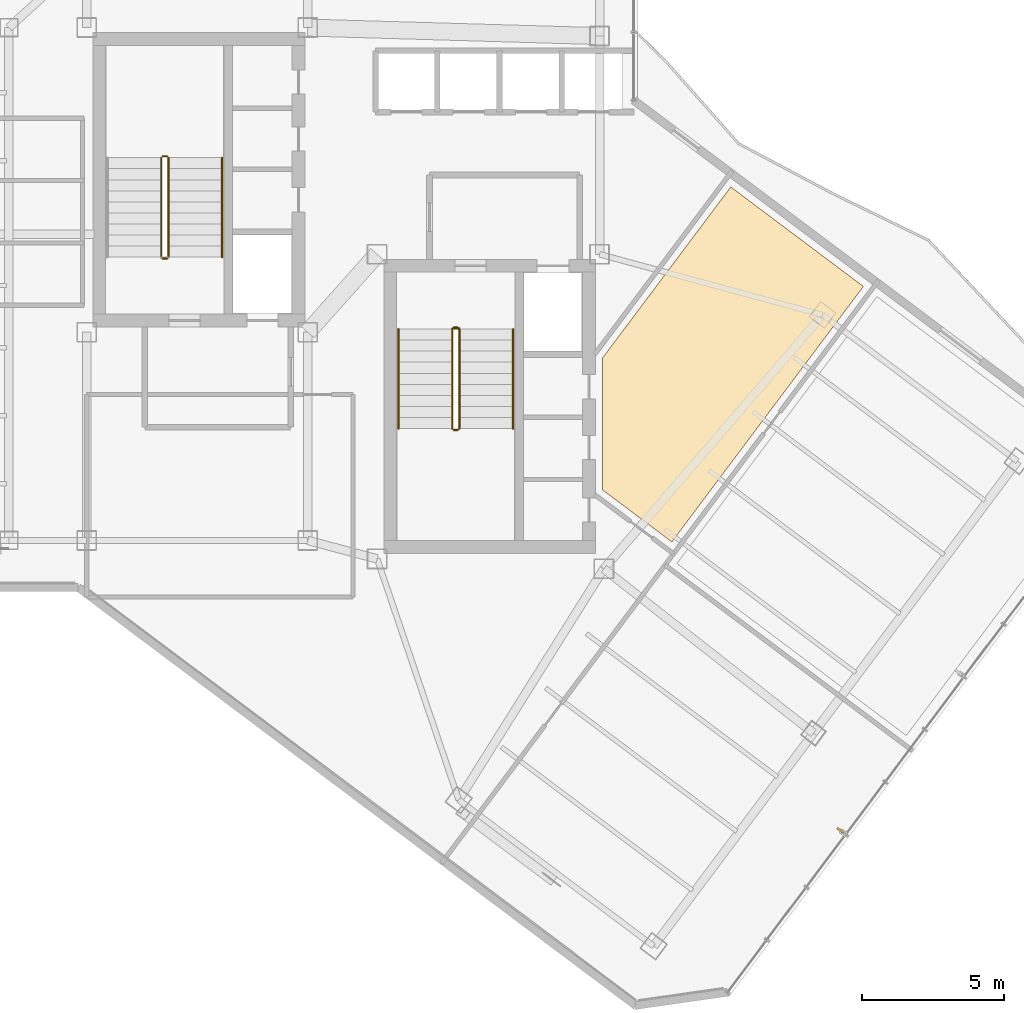
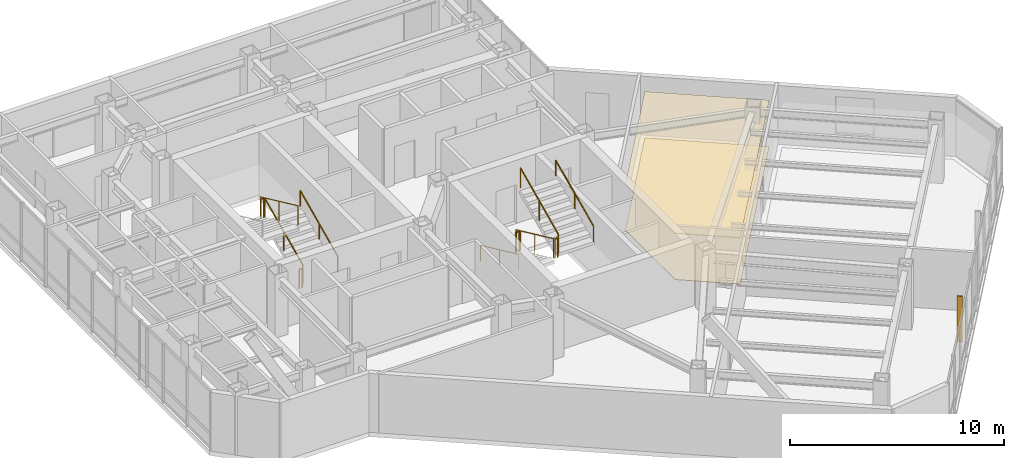
# One storey, part 23 of 25: 12 railings, 2 coverings, 1 shading device.
"""IFC4 building model written with IfcOpenShell, lengths in metres."""

import ifcopenshell
import ifcopenshell.guid

model = None  # the IFC model being written
_history = None  # IfcOwnerHistory: only IFC2X3 demands one
_inside = {}  # id of a spatial element -> (the spatial element, [elements in it])
_under = {}  # id of a project, library or spatial element -> (it, [spatial elements below it])
_declared = {}  # id of a project -> (the project, [libraries it declares])
_typed = {}  # id of a type object -> (the type object, [elements of that type])
_made_of = {}  # id of a material, layer set ... -> (it, [elements and type objects made of it])


def new_model(schema):
    """Start an empty IFC model of exactly this schema.

    Asked for "IFC4X3", IfcOpenShell would pick the latest addendum, in which some entities
    have other attributes; the version numbers below select the first issue.
    IFC2X3 requires an IfcOwnerHistory on every rooted entity: one is made here for all.
    """
    global model, _history
    if schema == "IFC4X3":
        model = ifcopenshell.file(schema_version=(4, 3, 0, 0))
    else:
        model = ifcopenshell.file(schema=schema)
    _inside.clear()
    _under.clear()
    _declared.clear()
    _typed.clear()
    _made_of.clear()
    _history = None
    if model.schema == "IFC2X3":
        org = make("IfcOrganization", Name="unknown")
        user = make(
            "IfcPersonAndOrganization",
            ThePerson=make("IfcPerson", FamilyName="unknown"),
            TheOrganization=org,
        )
        app = make(
            "IfcApplication",
            ApplicationDeveloper=org,
            Version="unknown",
            ApplicationFullName="unknown",
            ApplicationIdentifier="unknown",
        )
        _history = make(
            "IfcOwnerHistory",
            OwningUser=user,
            OwningApplication=app,
            ChangeAction="ADDED",
            CreationDate=0,
        )
    return model


def make(cls, **values):
    """One entity of the class cls with the attributes given. An attribute that is None is left unset."""
    return model.create_entity(
        cls, **{name: value for name, value in values.items() if value is not None}
    )


def rooted(cls, **values):
    """An entity with a GlobalId (a new one), such as an element, a storey or a relation."""
    return make(cls, GlobalId=ifcopenshell.guid.new(), OwnerHistory=_history, **values)


def si_unit(unit_type, name, prefix=None):
    """IfcSIUnit, for example si_unit("LENGTHUNIT", "METRE", prefix="MILLI")."""
    return make("IfcSIUnit", UnitType=unit_type, Prefix=prefix, Name=name)


def assignment(units):
    """IfcUnitAssignment: the units of a project."""
    return None if units is None else make("IfcUnitAssignment", Units=units)


def point(xyz):
    """IfcCartesianPoint."""
    return None if xyz is None else make("IfcCartesianPoint", Coordinates=xyz)


def direction(xyz):
    """IfcDirection."""
    return None if xyz is None else make("IfcDirection", DirectionRatios=xyz)


def frame(location, z_axis=None, x_axis=None):
    """IfcAxis2Placement3D, a coordinate frame: its origin and axes. An axis left out is left unset."""
    return make(
        "IfcAxis2Placement3D",
        Location=point(location),
        Axis=direction(z_axis),
        RefDirection=direction(x_axis),
    )


def frame_2d(location, x_axis=None):
    """IfcAxis2Placement2D, a coordinate frame in the plane: its origin and x axis."""
    return make(
        "IfcAxis2Placement2D", Location=point(location), RefDirection=direction(x_axis)
    )


def origin():
    """The frame at (0, 0, 0) with its axes left unset."""
    return frame((0.0, 0.0, 0.0))


def origin_2d():
    """The frame at (0, 0) in the plane with its x axis left unset."""
    return frame_2d((0.0, 0.0))


def place(relative_to, where):
    """IfcLocalPlacement: puts the frame where relative to a parent placement (None: the world)."""
    return make(
        "IfcLocalPlacement", PlacementRelTo=relative_to, RelativePlacement=where
    )


def context(
    kind, dimensions, precision=None, world=None, true_north=None, identifier=None
):
    """IfcGeometricRepresentationContext, for example the 3D "Model" context."""
    return make(
        "IfcGeometricRepresentationContext",
        ContextIdentifier=identifier,
        ContextType=kind,
        CoordinateSpaceDimension=dimensions,
        Precision=precision,
        WorldCoordinateSystem=world,
        TrueNorth=true_north,
    )


def subcontext(parent, identifier, kind, view, scale=None):
    """IfcGeometricRepresentationSubContext, for example "Body" below "Model"."""
    return make(
        "IfcGeometricRepresentationSubContext",
        ContextIdentifier=identifier,
        ContextType=kind,
        ParentContext=parent,
        TargetScale=scale,
        TargetView=view,
    )


def project(units=None, contexts=None):
    """IfcProject with its units and contexts."""
    return rooted(
        "IfcProject",
        Name="project",
        RepresentationContexts=contexts,
        UnitsInContext=assignment(units),
    )


def spatial(cls, under=None, at=None, **own):
    """A site, building, storey or space (cls), placed at a placement, below another one or the project."""
    s = rooted(cls, ObjectPlacement=at, **own)
    if under is not None:
        _under.setdefault(under.id(), (under, []))[1].append(s)
    return s


def polyline(points):
    """IfcPolyline through the points."""
    return make("IfcPolyline", Points=[point(p) for p in points])


def profile(cls, at=None, kind="AREA", **sizes):
    """A parametric profile (cls). Its sizes go by their IFC names, for example OverallWidth=200.0."""
    return make(cls, ProfileType=kind, Position=at, **sizes)


def rectangle(**sizes):
    """IfcRectangleProfileDef."""
    return profile("IfcRectangleProfileDef", **sizes)


def circle(**sizes):
    """IfcCircleProfileDef."""
    return profile("IfcCircleProfileDef", **sizes)


def outline(outer, holes=None, kind="AREA"):
    """IfcArbitraryClosedProfileDef: a profile drawn as a closed curve; with holes, ...WithVoids."""
    if holes is None:
        return make("IfcArbitraryClosedProfileDef", ProfileType=kind, OuterCurve=outer)
    return make(
        "IfcArbitraryProfileDefWithVoids",
        ProfileType=kind,
        OuterCurve=outer,
        InnerCurves=holes,
    )


def extrude(swept, where, along, depth):
    """IfcExtrudedAreaSolid: the profile swept, set in the frame where, extruded along a direction by depth."""
    return make(
        "IfcExtrudedAreaSolid",
        SweptArea=swept,
        Position=where,
        ExtrudedDirection=direction(along),
        Depth=depth,
    )


def shape(context_of_items, identifier, shape_type, items):
    """IfcShapeRepresentation: the items that make up one representation, for example the "Body"."""
    return make(
        "IfcShapeRepresentation",
        ContextOfItems=context_of_items,
        RepresentationIdentifier=identifier,
        RepresentationType=shape_type,
        Items=items,
    )


def material(Name=None, Category=None):
    """IfcMaterial."""
    return make("IfcMaterial", Name=Name, Category=Category)


def layer(
    of_material, thickness, ventilated=None, Name=None, Category=None, Priority=None
):
    """IfcMaterialLayer: one layer of a wall or slab, of a material (None: an air gap)."""
    return make(
        "IfcMaterialLayer",
        Material=of_material,
        LayerThickness=thickness,
        IsVentilated=ventilated,
        Name=Name,
        Category=Category,
        Priority=Priority,
    )


def layer_set(layers, Name=None):
    """IfcMaterialLayerSet."""
    return make("IfcMaterialLayerSet", MaterialLayers=layers, LayerSetName=Name)


def made_of(thing, what):
    """Note that an element or type object is made of a material, layer set ...; save() writes the relation."""
    if what is not None:
        _made_of.setdefault(what.id(), (what, []))[1].append(thing)
    return thing


def type_object(cls, material=None, **own):
    """A type object (cls), such as IfcWallType, which elements share."""
    return made_of(rooted(cls, **own), material)


def element(
    cls,
    number,
    at=None,
    inside=None,
    cuts=None,
    type_object=None,
    material=None,
    context=None,
    identifier="Body",
    shape_type=None,
    held_by="IfcProductDefinitionShape",
    body=None,
    shapes=None,
    **own,
):
    """One element of the class cls, such as IfcWall. Its Tag is "e" and its number.

    at: its placement. inside: the storey or other place that contains it. cuts: it is an
    opening in that element (IfcRelVoidsElement). A single representation is given by context,
    identifier, shape_type and body (its items); several are given by shapes. held_by: the class
    of the entity that holds the representations. save() writes the other relations.
    """
    e = rooted(cls, Tag="e%d" % number, ObjectPlacement=at, **own)
    if body is not None:
        shapes = [shape(context, identifier, shape_type, body)]
    if shapes is not None:
        e.Representation = make(held_by, Representations=shapes)
    if inside is not None:
        _inside.setdefault(inside.id(), (inside, []))[1].append(e)
    if cuts is not None:
        rooted(
            "IfcRelVoidsElement", RelatingBuildingElement=cuts, RelatedOpeningElement=e
        )
    if type_object is not None:
        _typed.setdefault(type_object.id(), (type_object, []))[1].append(e)
    return made_of(e, material)


def aggregate(whole, parts):
    """IfcRelAggregates: a whole, such as a stair, and the parts it consists of."""
    return rooted("IfcRelAggregates", RelatingObject=whole, RelatedObjects=parts)


def save(model, path):
    """Write the relations noted so far, then the file.

    IfcRelAggregates (storeys below a building ...), IfcRelContainedInSpatialStructure (elements
    in a storey), IfcRelDefinesByType, IfcRelAssociatesMaterial and IfcRelDeclares: one each for
    every whole, place, type object, material and project.
    """
    for whole, parts in _under.values():
        aggregate(whole, parts)
    for where, things in _inside.values():
        rooted(
            "IfcRelContainedInSpatialStructure",
            RelatedElements=things,
            RelatingStructure=where,
        )
    for kind, things in _typed.values():
        rooted("IfcRelDefinesByType", RelatedObjects=things, RelatingType=kind)
    for what, things in _made_of.values():
        rooted("IfcRelAssociatesMaterial", RelatedObjects=things, RelatingMaterial=what)
    for by, libraries in _declared.values():
        rooted("IfcRelDeclares", RelatingContext=by, RelatedDefinitions=libraries)
    model.write(path)


model = new_model("IFC4")

# Units and contexts
model_context = context("Model", 3, precision=1e-05, world=origin(), true_north=direction((0.0, 1.0)))
body_context = subcontext(model_context, "Body", "Model", "MODEL_VIEW")
ifc_project = project(units=[si_unit("LENGTHUNIT", "METRE"), si_unit("AREAUNIT", "SQUARE_METRE"), si_unit("VOLUMEUNIT", "CUBIC_METRE"), si_unit("PLANEANGLEUNIT", "RADIAN"), si_unit("MASSUNIT", "GRAM", prefix="KILO")], contexts=[model_context])

# Site, building, storey
site_placement = place(None, origin())
site = spatial("IfcSite", under=ifc_project, at=site_placement, CompositionType="ELEMENT")
building_placement = place(site_placement, origin())
building = spatial("IfcBuilding", under=site, at=building_placement, Name="Hatsunagi Terrace Concourse", CompositionType="ELEMENT")
storey_placement = place(building_placement, frame((0.0, 0.0, 216.75)))
storey = spatial("IfcBuildingStorey", under=building, at=storey_placement, Name="L57", CompositionType="ELEMENT", Elevation=216.75)

# Covering
ifc_material_1 = material(Name="Granite stone paving", Category="masonry")
ifc_layer_1 = layer(ifc_material_1, 0.02490234375)
ifc_layer_set_1 = layer_set([ifc_layer_1], Name="GraniteStoneFlooring_25")
covering_type_1 = type_object("IfcCoveringType", Name="GraniteStoneFlooring_25", PredefinedType="FLOORING", material=ifc_layer_set_1)
covering_1_placement = place(storey_placement, origin())
element("IfcCovering", 1, at=covering_1_placement, inside=storey, type_object=covering_type_1, Name="Finished Flooring L57-2", PredefinedType="FLOORING", context=body_context, shape_type="SweptSolid", body=[
    extrude(outline(polyline([(48.281982421875, 37.676025390625), (43.75, 31.634033203125), (43.75, 26.988037109375), (46.199951171875, 25.14990234375), (52.9619140625, 34.166015625), (48.281982421875, 37.676025390625)])), origin(), (0.0, 0.0, 1.0), 0.02490234375),
])

# Railings
ifc_material_2 = material(Name="Stainless steel", Category="steel")
ifc_layer_2 = layer(ifc_material_2, 0.044921875)
ifc_layer_set_2 = layer_set([ifc_layer_2], Name="StairPitchHandrail_Tower2000")
railing_type_1 = type_object("IfcRailingType", Name="StairPitchHandrail_Tower2000", PredefinedType="HANDRAIL", material=ifc_layer_set_2)
railing_1_placement = place(storey_placement, frame((30.330078125, 35.199951171875, 0.179931640625)))
element("IfcRailing", 2, at=railing_1_placement, inside=storey, type_object=railing_type_1, Name="L57 ST-A stair handrail 1", PredefinedType="HANDRAIL", context=body_context, shape_type="SweptSolid", body=[
    extrude(circle(Radius=0.02392578125, at=origin_2d()), frame((0.0, 0.0, 0.8759765625), z_axis=(0.0, 0.907948293929, 0.419082206198), x_axis=(-1.0, 0.0, 0.0)), (0.0, 0.0, 1.0), 3.865966796875),
    extrude(circle(Radius=0.02099609375, at=origin_2d()), origin(), (0.0, 0.0, 1.0), 0.851806640625),
    extrude(circle(Radius=0.02099609375, at=origin_2d()), frame((0.0, 1.7548828125, 0.81005859375)), (0.0, 0.0, 1.0), 0.851806640625),
    extrude(circle(Radius=0.02099609375, at=origin_2d()), frame((0.0, 3.510009765625, 1.6201171875)), (0.0, 0.0, 1.0), 0.851806640625),
])
railing_2_placement = place(storey_placement, frame((36.550048828125, 32.659912109375, 0.179931640625)))
element("IfcRailing", 3, at=railing_2_placement, inside=storey, type_object=railing_type_1, Name="L57 ST-B stair handrail 1", PredefinedType="HANDRAIL", context=body_context, shape_type="SweptSolid", body=[
    extrude(circle(Radius=0.02392578125, at=origin_2d()), frame((0.0, 0.0, 0.8759765625), z_axis=(0.0, -0.907948293929, 0.419082206198), x_axis=(1.0, 0.0, 0.0)), (0.0, 0.0, 1.0), 3.865966796875),
    extrude(circle(Radius=0.02099609375, at=origin_2d()), origin(), (0.0, 0.0, 1.0), 0.851806640625),
    extrude(circle(Radius=0.02099609375, at=origin_2d()), frame((0.0, -1.7548828125, 0.81005859375)), (0.0, 0.0, 1.0), 0.851806640625),
    extrude(circle(Radius=0.02099609375, at=origin_2d()), frame((0.0, -3.510009765625, 1.6201171875)), (0.0, 0.0, 1.0), 0.851806640625),
])
railing_3_placement = place(storey_placement, frame((40.60009765625, 29.14990234375, 1.97998046875)))
element("IfcRailing", 4, at=railing_3_placement, inside=storey, type_object=railing_type_1, Name="L57 ST-B stair handrail 2", PredefinedType="HANDRAIL", context=body_context, shape_type="SweptSolid", body=[
    extrude(circle(Radius=0.02392578125, at=origin_2d()), frame((0.0, 0.0, 0.8759765625), z_axis=(0.0, 0.907948293929, 0.419082206198), x_axis=(-1.0, 0.0, 0.0)), (0.0, 0.0, 1.0), 3.865966796875),
    extrude(circle(Radius=0.02099609375, at=origin_2d()), origin(), (0.0, 0.0, 1.0), 0.851806640625),
    extrude(circle(Radius=0.02099609375, at=origin_2d()), frame((0.0, 1.7548828125, 0.81005859375)), (0.0, 0.0, 1.0), 0.851806640625),
    extrude(circle(Radius=0.02099609375, at=origin_2d()), frame((0.0, 3.510009765625, 1.6201171875)), (0.0, 0.0, 1.0), 0.851806640625),
])
ifc_material_3 = material(Name="Stainless steel", Category="steel")
ifc_layer_3 = layer(ifc_material_3, 0.06005859375)
ifc_layer_set_3 = layer_set([ifc_layer_3], Name="StairWellGuard_Tower2000")
railing_type_2 = type_object("IfcRailingType", Name="StairWellGuard_Tower2000", PredefinedType="BALUSTRADE", material=ifc_layer_set_3)
railing_4_placement = place(storey_placement, frame((28.429931640625, 35.199951171875, 0.179931640625)))
element("IfcRailing", 5, at=railing_4_placement, inside=storey, type_object=railing_type_2, Name="L57 ST-A stair guard 1", PredefinedType="BALUSTRADE", context=body_context, shape_type="SweptSolid", body=[
    extrude(circle(Radius=0.02392578125, at=origin_2d()), frame((0.0, 0.0, 1.09619140625), z_axis=(0.0, 0.907948293929, 0.419082206198), x_axis=(-1.0, 0.0, 0.0)), (0.0, 0.0, 1.0), 3.865966796875),
    extrude(circle(Radius=0.02099609375, at=origin_2d()), origin(), (0.0, 0.0, 1.0), 1.072021484375),
    extrude(circle(Radius=0.02099609375, at=origin_2d()), frame((0.0, 1.7548828125, 0.81005859375)), (0.0, 0.0, 1.0), 1.072021484375),
    extrude(circle(Radius=0.02099609375, at=origin_2d()), frame((0.0, 3.510009765625, 1.6201171875)), (0.0, 0.0, 1.0), 1.072021484375),
])
railing_5_placement = place(storey_placement, frame((28.3798828125, 38.760009765625, 1.800048828125)))
element("IfcRailing", 6, at=railing_5_placement, inside=storey, type_object=railing_type_2, Name="L57 ST-A stair guard 2", PredefinedType="BALUSTRADE", context=body_context, shape_type="SweptSolid", body=[
    extrude(circle(Radius=0.02392578125, at=origin_2d()), frame((0.0, 0.0, 1.09619140625), z_axis=(-1.0, 0.0, 0.0), x_axis=(0.0, -1.0, 0.0)), (0.0, 0.0, 1.0), 0.14990234375),
    extrude(circle(Radius=0.02099609375, at=origin_2d()), origin(), (0.0, 0.0, 1.0), 1.072021484375),
    extrude(circle(Radius=0.02099609375, at=origin_2d()), frame((-0.14990234375, 0.0, 0.0)), (0.0, 0.0, 1.0), 1.072021484375),
])
railing_6_placement = place(storey_placement, frame((28.179931640625, 38.7099609375, 1.97998046875)))
element("IfcRailing", 7, at=railing_6_placement, inside=storey, type_object=railing_type_2, Name="L57 ST-A stair guard 3", PredefinedType="BALUSTRADE", context=body_context, shape_type="SweptSolid", body=[
    extrude(circle(Radius=0.02392578125, at=origin_2d()), frame((0.0, 0.0, 1.09619140625), z_axis=(0.0, -0.907948293929, 0.419082206198), x_axis=(1.0, 0.0, 0.0)), (0.0, 0.0, 1.0), 3.865966796875),
    extrude(circle(Radius=0.02099609375, at=origin_2d()), origin(), (0.0, 0.0, 1.0), 1.072021484375),
    extrude(circle(Radius=0.02099609375, at=origin_2d()), frame((0.0, -1.7548828125, 0.81005859375)), (0.0, 0.0, 1.0), 1.072021484375),
    extrude(circle(Radius=0.02099609375, at=origin_2d()), frame((0.0, -3.510009765625, 1.6201171875)), (0.0, 0.0, 1.0), 1.072021484375),
])
railing_7_placement = place(storey_placement, frame((28.3798828125, 35.14990234375, 0.0)))
element("IfcRailing", 8, at=railing_7_placement, inside=storey, type_object=railing_type_2, Name="L57 ST-A stair guard 4", PredefinedType="BALUSTRADE", context=body_context, shape_type="SweptSolid", body=[
    extrude(circle(Radius=0.02392578125, at=origin_2d()), frame((0.0, 0.0, 1.09619140625), z_axis=(-1.0, 0.0, 0.0), x_axis=(0.0, -1.0, 0.0)), (0.0, 0.0, 1.0), 0.14990234375),
    extrude(circle(Radius=0.02099609375, at=origin_2d()), origin(), (0.0, 0.0, 1.0), 1.072021484375),
    extrude(circle(Radius=0.02099609375, at=origin_2d()), frame((-0.14990234375, 0.0, 0.0)), (0.0, 0.0, 1.0), 1.072021484375),
])
railing_8_placement = place(storey_placement, frame((38.449951171875, 32.659912109375, 0.179931640625)))
element("IfcRailing", 9, at=railing_8_placement, inside=storey, type_object=railing_type_2, Name="L57 ST-B stair guard 1", PredefinedType="BALUSTRADE", context=body_context, shape_type="SweptSolid", body=[
    extrude(circle(Radius=0.02392578125, at=origin_2d()), frame((0.0, 0.0, 1.09619140625), z_axis=(0.0, -0.907948293929, 0.419082206198), x_axis=(1.0, 0.0, 0.0)), (0.0, 0.0, 1.0), 3.865966796875),
    extrude(circle(Radius=0.02099609375, at=origin_2d()), origin(), (0.0, 0.0, 1.0), 1.072021484375),
    extrude(circle(Radius=0.02099609375, at=origin_2d()), frame((0.0, -1.7548828125, 0.81005859375)), (0.0, 0.0, 1.0), 1.072021484375),
    extrude(circle(Radius=0.02099609375, at=origin_2d()), frame((0.0, -3.510009765625, 1.6201171875)), (0.0, 0.0, 1.0), 1.072021484375),
])
railing_9_placement = place(storey_placement, frame((38.5, 29.10009765625, 1.800048828125)))
element("IfcRailing", 10, at=railing_9_placement, inside=storey, type_object=railing_type_2, Name="L57 ST-B stair guard 2", PredefinedType="BALUSTRADE", context=body_context, shape_type="SweptSolid", body=[
    extrude(circle(Radius=0.02392578125, at=origin_2d()), frame((0.0, 0.0, 1.09619140625), z_axis=(1.0, 0.0, 0.0), x_axis=(0.0, 1.0, 0.0)), (0.0, 0.0, 1.0), 0.14990234375),
    extrude(circle(Radius=0.02099609375, at=origin_2d()), origin(), (0.0, 0.0, 1.0), 1.072021484375),
    extrude(circle(Radius=0.02099609375, at=origin_2d()), frame((0.14990234375, 0.0, 0.0)), (0.0, 0.0, 1.0), 1.072021484375),
])
railing_10_placement = place(storey_placement, frame((38.699951171875, 29.14990234375, 1.97998046875)))
element("IfcRailing", 11, at=railing_10_placement, inside=storey, type_object=railing_type_2, Name="L57 ST-B stair guard 3", PredefinedType="BALUSTRADE", context=body_context, shape_type="SweptSolid", body=[
    extrude(circle(Radius=0.02392578125, at=origin_2d()), frame((0.0, 0.0, 1.09619140625), z_axis=(0.0, 0.907948293929, 0.419082206198), x_axis=(-1.0, 0.0, 0.0)), (0.0, 0.0, 1.0), 3.865966796875),
    extrude(circle(Radius=0.02099609375, at=origin_2d()), origin(), (0.0, 0.0, 1.0), 1.072021484375),
    extrude(circle(Radius=0.02099609375, at=origin_2d()), frame((0.0, 1.7548828125, 0.81005859375)), (0.0, 0.0, 1.0), 1.072021484375),
    extrude(circle(Radius=0.02099609375, at=origin_2d()), frame((0.0, 3.510009765625, 1.6201171875)), (0.0, 0.0, 1.0), 1.072021484375),
])
railing_11_placement = place(storey_placement, frame((38.5, 32.7099609375, 0.0)))
element("IfcRailing", 12, at=railing_11_placement, inside=storey, type_object=railing_type_2, Name="L57 ST-B stair guard 4", PredefinedType="BALUSTRADE", context=body_context, shape_type="SweptSolid", body=[
    extrude(circle(Radius=0.02392578125, at=origin_2d()), frame((0.0, 0.0, 1.09619140625), z_axis=(1.0, 0.0, 0.0), x_axis=(0.0, 1.0, 0.0)), (0.0, 0.0, 1.0), 0.14990234375),
    extrude(circle(Radius=0.02099609375, at=origin_2d()), origin(), (0.0, 0.0, 1.0), 1.072021484375),
    extrude(circle(Radius=0.02099609375, at=origin_2d()), frame((0.14990234375, 0.0, 0.0)), (0.0, 0.0, 1.0), 1.072021484375),
])
ifc_material_4 = material(Name="Stainless Steel SUS316 Post-and-Rail Guard", Category="steel")
ifc_layer_4 = layer(ifc_material_4, 0.080078125)
ifc_layer_set_4 = layer_set([ifc_layer_4], Name="TerracePlantedGuardRail_1200")
railing_type_3 = type_object("IfcRailingType", Name="TerracePlantedGuardRail_1200", PredefinedType="GUARDRAIL", material=ifc_layer_set_4)
railing_12_placement = place(storey_placement, frame((38.449951171875, 32.679931640625, 0.0)))
element("IfcRailing", 13, at=railing_12_placement, inside=storey, type_object=railing_type_3, Name="Stair ST-B Well Closure Guard L57", PredefinedType="GUARDRAIL", context=body_context, shape_type="SweptSolid", body=[
    extrude(circle(Radius=0.02392578125, at=origin_2d()), frame((0.0, 0.0, 1.09619140625), z_axis=(1.0, 0.0, 0.0), x_axis=(0.0, 1.0, 0.0)), (0.0, 0.0, 1.0), 0.25),
    extrude(circle(Radius=0.02099609375, at=origin_2d()), origin(), (0.0, 0.0, 1.0), 1.072021484375),
    extrude(circle(Radius=0.02099609375, at=origin_2d()), frame((0.25, 0.0, 0.0)), (0.0, 0.0, 1.0), 1.072021484375),
])

# Shading device
ifc_material_5 = material(Name="Extruded Unglazed Terracotta Baguette", Category="masonry")
shading_device_type = type_object("IfcShadingDeviceType", Name="TerracottaFinScreen_260x70", PredefinedType="USERDEFINED", material=ifc_material_5)
shading_device_placement = place(storey_placement, frame((52.139892578125, 14.968994140625, 0.849853515625), z_axis=(0.0, 0.0, 1.0), x_axis=(-0.599969314634, -0.800023013105, 0.0)))
element("IfcShadingDevice", 14, at=shading_device_placement, inside=storey, type_object=shading_device_type, Name="Terracotta Baguette Fin Screen SCR-01", ObjectType="SUNSHADE", PredefinedType="USERDEFINED", context=body_context, shape_type="SweptSolid", body=[
    extrude(rectangle(XDim=0.070068359375, YDim=0.260009765625, at=origin_2d()), origin(), (0.0, 0.0, 1.0), 2.60009765625),
])

# Covering
ifc_material_6 = material(Name="Hardwood timber", Category="wood")
ifc_layer_5 = layer(ifc_material_6, 0.034912109375)
ifc_layer_set_5 = layer_set([ifc_layer_5], Name="TimberBaffleCeiling_35")
covering_type_2 = type_object("IfcCoveringType", Name="TimberBaffleCeiling_35", PredefinedType="CEILING", material=ifc_layer_set_5)
covering_2_placement = place(storey_placement, frame((0.0, 0.0, 2.6298828125)))
element("IfcCovering", 15, at=covering_2_placement, inside=storey, type_object=covering_type_2, Name="Suspended Ceiling L57-2", PredefinedType="CEILING", context=body_context, shape_type="SweptSolid", body=[
    extrude(outline(polyline([(48.281982421875, 37.676025390625), (43.75, 31.634033203125), (43.75, 26.988037109375), (46.199951171875, 25.14990234375), (52.9619140625, 34.166015625), (48.281982421875, 37.676025390625)])), origin(), (0.0, 0.0, 1.0), 0.03515625),
])

save(model, "model.ifc")
